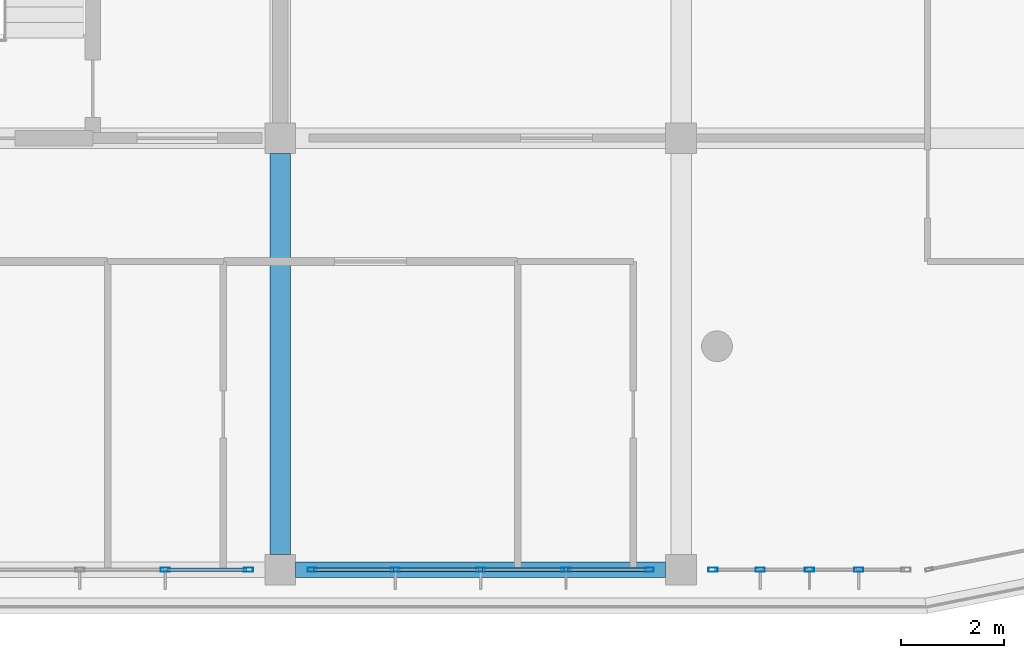
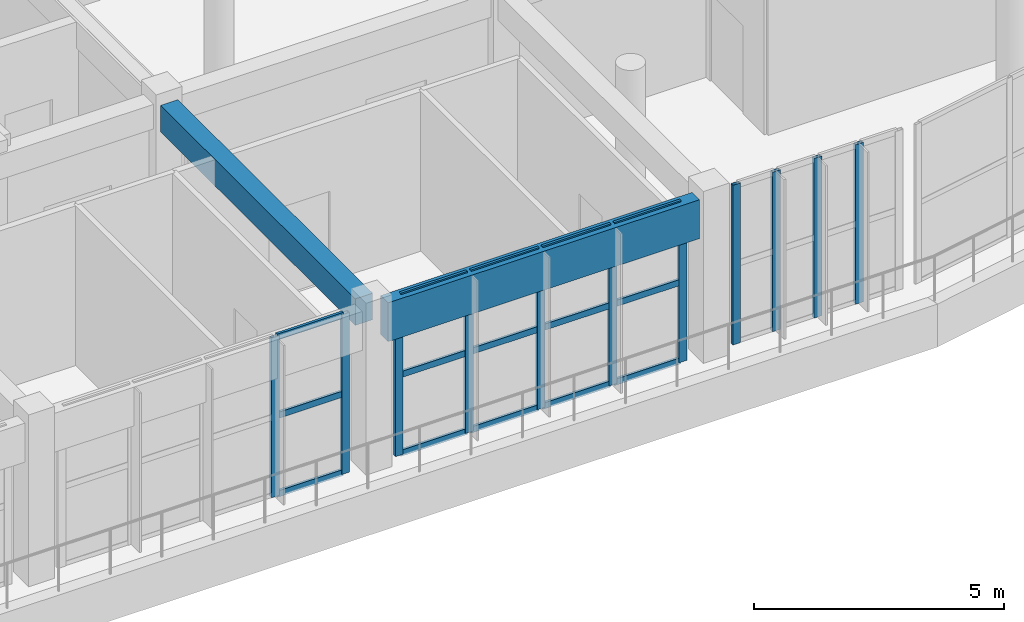
# One storey, part 23 of 56: 26 members, 2 beams, 3 elements without a shape of their own.
"""IFC4 building model written with IfcOpenShell, lengths in metres."""

from ifc_helpers import new_model, si_unit, direction, frame, origin, origin_2d, place, context, subcontext, project, spatial, rectangle, hollow_rectangle, extrude, material, layer, layer_set, material_profile, profile_set, type_object, element, aggregate, save


model = new_model("IFC4")

# Units and contexts
model_context = context("Model", 3, precision=1e-05, world=origin(), true_north=direction((0.0, 1.0)))
body_context = subcontext(model_context, "Body", "Model", "MODEL_VIEW")
ifc_project = project(units=[si_unit("LENGTHUNIT", "METRE"), si_unit("AREAUNIT", "SQUARE_METRE"), si_unit("VOLUMEUNIT", "CUBIC_METRE"), si_unit("PLANEANGLEUNIT", "RADIAN"), si_unit("MASSUNIT", "GRAM", prefix="KILO")], contexts=[model_context])

# Site, building, storey
site_placement = place(None, origin())
site = spatial("IfcSite", under=ifc_project, at=site_placement, CompositionType="ELEMENT")
building_placement = place(site_placement, origin())
building = spatial("IfcBuilding", under=site, at=building_placement, Name="Zizhar Promenade General Hospital", CompositionType="ELEMENT")
storey_placement = place(building_placement, frame((0.0, 0.0, 26.39990234375)))
storey = spatial("IfcBuildingStorey", under=building, at=storey_placement, Name="L06", CompositionType="ELEMENT", Elevation=26.39990234375)

# Beams
ifc_material_1 = material(Name="Precast concrete C40/50", Category="concrete")
ifc_material_profile_1 = material_profile(ifc_material_1, rectangle(XDim=0.300048828125, YDim=0.949951171875, at=origin_2d()))
ifc_profile_set_1 = profile_set([ifc_material_profile_1], Name="Precast concrete C40/50")
beam_type_1 = type_object("IfcBeamType", Name="BM-PC-BAND950", PredefinedType="SPANDREL", material=ifc_profile_set_1)
beam_1_placement = place(storey_placement, frame((101.699951171875, 0.0, 3.43505859375), z_axis=(1.0, 0.0, 0.0), x_axis=(0.0, 1.0, 0.0)))
element("IfcBeam", 1, at=beam_1_placement, inside=storey, type_object=beam_type_1, Name="Grid Beam X L06 (13-0)", PredefinedType="SPANDREL", context=body_context, shape_type="SweptSolid", body=[
    extrude(rectangle(XDim=0.300048828125, YDim=0.949951171875, at=origin_2d()), origin(), (0.0, 0.0, 1.0), 7.199951171875),
])
ifc_material_2 = material(Name="Concrete C35/45", Category="concrete")
ifc_material_profile_2 = material_profile(ifc_material_2, rectangle(XDim=0.39990234375, YDim=0.64990234375, at=origin_2d()))
ifc_profile_set_2 = profile_set([ifc_material_profile_2], Name="Concrete C35/45")
beam_type_2 = type_object("IfcBeamType", Name="BM-RC-400x650", PredefinedType="BEAM", material=ifc_profile_set_2)
beam_2_placement = place(storey_placement, frame((101.39990234375, 0.300048828125, 3.585205078125), z_axis=(0.0, 1.0, 0.0), x_axis=(-1.0, 0.0, 0.0)))
element("IfcBeam", 2, at=beam_2_placement, inside=storey, type_object=beam_type_2, Name="Grid Beam Y L06 (13-0)", PredefinedType="BEAM", context=body_context, shape_type="SweptSolid", body=[
    extrude(rectangle(XDim=0.39990234375, YDim=0.64990234375, at=origin_2d()), origin(), (0.0, 0.0, 1.0), 7.800048828125),
])

# Curtain wall, members
ifc_material_3 = material(Name="Anodised aluminium 6063-T6 and low-E glass", Category="aluminium")
ifc_layer = layer(ifc_material_3, 0.159912109375)
ifc_layer_set = layer_set([ifc_layer], Name="Anodised aluminium 6063-T6 and low-E glass")
curtain_wall_type = type_object("IfcCurtainWallType", Name="CW-WARD-RIB", PredefinedType="NOTDEFINED", material=ifc_layer_set)
curtain_wall_1_placement = place(storey_placement, origin())
curtain_wall_1 = element("IfcCurtainWall", 3, at=curtain_wall_1_placement, inside=storey, type_object=curtain_wall_type, Name="Ward Ribbon Curtain Wall L06-17-0", PredefinedType="NOTDEFINED")
ifc_material_4 = material(Name="Anodised aluminium 6063-T6", Category="aluminium")
ifc_material_profile_3 = material_profile(ifc_material_4, hollow_rectangle(XDim=0.080078125, YDim=0.179931640625, WallThickness=0.0048828125, at=origin_2d()))
ifc_profile_set_3 = profile_set([ifc_material_profile_3], Name="Anodised aluminium 6063-T6")
member_type_1 = type_object("IfcMemberType", Name="CWM-ALU-180x80", PredefinedType="MULLION", material=ifc_profile_set_3)
member_1_placement = place(storey_placement, frame((112.659912109375, 0.0, 0.0), z_axis=(0.0, 0.0, 1.0), x_axis=(0.0, -1.0, 0.0)))
member_1 = element("IfcMember", 4, at=member_1_placement, type_object=member_type_1, Name="CW-13 mullion 2", PredefinedType="MULLION", context=body_context, shape_type="SweptSolid", body=[
    extrude(hollow_rectangle(XDim=0.080078125, YDim=0.179931640625, WallThickness=0.0048828125, at=origin_2d()), origin(), (0.0, 0.0, 1.0), 3.900146484375),
])
member_2_placement = place(storey_placement, frame((111.699951171875, 0.0, 0.0), z_axis=(0.0, 0.0, 1.0), x_axis=(0.0, -1.0, 0.0)))
member_2 = element("IfcMember", 5, at=member_2_placement, type_object=member_type_1, Name="CW-13 mullion 3", PredefinedType="MULLION", context=body_context, shape_type="SweptSolid", body=[
    extrude(hollow_rectangle(XDim=0.080078125, YDim=0.179931640625, WallThickness=0.0048828125, at=origin_2d()), origin(), (0.0, 0.0, 1.0), 3.900146484375),
])
member_3_placement = place(storey_placement, frame((110.739990234375, 0.0, 0.0), z_axis=(0.0, 0.0, 1.0), x_axis=(0.0, -1.0, 0.0)))
member_3 = element("IfcMember", 6, at=member_3_placement, type_object=member_type_1, Name="CW-13 mullion 4", PredefinedType="MULLION", context=body_context, shape_type="SweptSolid", body=[
    extrude(hollow_rectangle(XDim=0.080078125, YDim=0.179931640625, WallThickness=0.0048828125, at=origin_2d()), origin(), (0.0, 0.0, 1.0), 3.900146484375),
])
member_4_placement = place(storey_placement, frame((109.820068359375, 0.0, 0.0), z_axis=(0.0, 0.0, 1.0), x_axis=(0.0, -1.0, 0.0)))
member_4 = element("IfcMember", 7, at=member_4_placement, type_object=member_type_1, Name="CW-13 mullion 5", PredefinedType="MULLION", context=body_context, shape_type="SweptSolid", body=[
    extrude(hollow_rectangle(XDim=0.080078125, YDim=0.179931640625, WallThickness=0.0048828125, at=origin_2d()), origin(), (0.0, 0.0, 1.0), 3.900146484375),
])
aggregate(curtain_wall_1, [member_1, member_2, member_3, member_4])

curtain_wall_2_placement = place(storey_placement, origin())
curtain_wall_2 = element("IfcCurtainWall", 8, at=curtain_wall_2_placement, inside=storey, type_object=curtain_wall_type, Name="Ward Ribbon Curtain Wall L06-17-1", PredefinedType="NOTDEFINED")
member_5_placement = place(storey_placement, frame((108.580078125, 0.0, 0.0), z_axis=(0.0, 0.0, 1.0), x_axis=(0.0, -1.0, 0.0)))
member_5 = element("IfcMember", 9, at=member_5_placement, type_object=member_type_1, Name="CW-13 mullion 1", PredefinedType="MULLION", context=body_context, shape_type="SweptSolid", body=[
    extrude(hollow_rectangle(XDim=0.080078125, YDim=0.179931640625, WallThickness=0.0048828125, at=origin_2d()), origin(), (0.0, 0.0, 1.0), 3.900146484375),
])
member_6_placement = place(storey_placement, frame((106.9599609375, 0.0, 0.0), z_axis=(0.0, 0.0, 1.0), x_axis=(0.0, -1.0, 0.0)))
member_6 = element("IfcMember", 10, at=member_6_placement, type_object=member_type_1, Name="CW-13 mullion 2", PredefinedType="MULLION", context=body_context, shape_type="SweptSolid", body=[
    extrude(hollow_rectangle(XDim=0.080078125, YDim=0.179931640625, WallThickness=0.0048828125, at=origin_2d()), origin(), (0.0, 0.0, 1.0), 3.900146484375),
])
member_7_placement = place(storey_placement, frame((105.300048828125, 0.0, 0.0), z_axis=(0.0, 0.0, 1.0), x_axis=(0.0, -1.0, 0.0)))
member_7 = element("IfcMember", 11, at=member_7_placement, type_object=member_type_1, Name="CW-13 mullion 3", PredefinedType="MULLION", context=body_context, shape_type="SweptSolid", body=[
    extrude(hollow_rectangle(XDim=0.080078125, YDim=0.179931640625, WallThickness=0.0048828125, at=origin_2d()), origin(), (0.0, 0.0, 1.0), 3.900146484375),
])
member_8_placement = place(storey_placement, frame((103.639892578125, 0.0, 0.0), z_axis=(0.0, 0.0, 1.0), x_axis=(0.0, -1.0, 0.0)))
member_8 = element("IfcMember", 12, at=member_8_placement, type_object=member_type_1, Name="CW-13 mullion 4", PredefinedType="MULLION", context=body_context, shape_type="SweptSolid", body=[
    extrude(hollow_rectangle(XDim=0.080078125, YDim=0.179931640625, WallThickness=0.0048828125, at=origin_2d()), origin(), (0.0, 0.0, 1.0), 3.900146484375),
])
member_9_placement = place(storey_placement, frame((102.02001953125, 0.0, 0.0), z_axis=(0.0, 0.0, 1.0), x_axis=(0.0, -1.0, 0.0)))
member_9 = element("IfcMember", 13, at=member_9_placement, type_object=member_type_1, Name="CW-13 mullion 5", PredefinedType="MULLION", context=body_context, shape_type="SweptSolid", body=[
    extrude(hollow_rectangle(XDim=0.080078125, YDim=0.179931640625, WallThickness=0.0048828125, at=origin_2d()), origin(), (0.0, 0.0, 1.0), 3.900146484375),
])

curtain_wall_3_placement = place(storey_placement, origin())
curtain_wall_3 = element("IfcCurtainWall", 14, at=curtain_wall_3_placement, inside=storey, type_object=curtain_wall_type, Name="Ward Ribbon Curtain Wall L06-17-2", PredefinedType="NOTDEFINED")
member_10_placement = place(storey_placement, frame((100.780029296875, 0.0, 0.0), z_axis=(0.0, 0.0, 1.0), x_axis=(0.0, -1.0, 0.0)))
member_10 = element("IfcMember", 15, at=member_10_placement, type_object=member_type_1, Name="CW-13 mullion 1", PredefinedType="MULLION", context=body_context, shape_type="SweptSolid", body=[
    extrude(hollow_rectangle(XDim=0.080078125, YDim=0.179931640625, WallThickness=0.0048828125, at=origin_2d()), origin(), (0.0, 0.0, 1.0), 3.900146484375),
])
member_11_placement = place(storey_placement, frame((99.159912109375, 0.0, 0.0), z_axis=(0.0, 0.0, 1.0), x_axis=(0.0, -1.0, 0.0)))
member_11 = element("IfcMember", 16, at=member_11_placement, type_object=member_type_1, Name="CW-13 mullion 2", PredefinedType="MULLION", context=body_context, shape_type="SweptSolid", body=[
    extrude(hollow_rectangle(XDim=0.080078125, YDim=0.179931640625, WallThickness=0.0048828125, at=origin_2d()), origin(), (0.0, 0.0, 1.0), 3.900146484375),
])

# Member
ifc_material_5 = material(Name="Anodised aluminium 6063-T6", Category="aluminium")
ifc_material_profile_4 = material_profile(ifc_material_5, hollow_rectangle(XDim=0.06005859375, YDim=0.14990234375, WallThickness=0.00390625, at=origin_2d()))
ifc_profile_set_4 = profile_set([ifc_material_profile_4], Name="Anodised aluminium 6063-T6")
member_type_2 = type_object("IfcMemberType", Name="CWT-ALU-150x60", PredefinedType="USERDEFINED", material=ifc_profile_set_4)
member_12_placement = place(storey_placement, frame((108.5400390625, 0.0, 0.030029296875), z_axis=(-1.0, 0.0, 0.0), x_axis=(0.0, -1.0, 0.0)))
member_12 = element("IfcMember", 17, at=member_12_placement, type_object=member_type_2, Name="CW-13 transom 1.1", ObjectType="TRANSOM", PredefinedType="USERDEFINED", context=body_context, shape_type="SweptSolid", body=[
    extrude(hollow_rectangle(XDim=0.06005859375, YDim=0.14990234375, WallThickness=0.00390625, at=origin_2d()), origin(), (0.0, 0.0, 1.0), 1.5400390625),
])

member_13_placement = place(storey_placement, frame((108.5400390625, 0.0, 1.9501953125), z_axis=(-1.0, 0.0, 0.0), x_axis=(0.0, -1.0, 0.0)))
member_13 = element("IfcMember", 18, at=member_13_placement, type_object=member_type_2, Name="CW-13 transom 1.2", ObjectType="TRANSOM", PredefinedType="USERDEFINED", context=body_context, shape_type="SweptSolid", body=[
    extrude(hollow_rectangle(XDim=0.06005859375, YDim=0.14990234375, WallThickness=0.00390625, at=origin_2d()), origin(), (0.0, 0.0, 1.0), 1.5400390625),
])

member_14_placement = place(storey_placement, frame((108.5400390625, 0.0, 3.8701171875), z_axis=(-1.0, 0.0, 0.0), x_axis=(0.0, -1.0, 0.0)))
member_14 = element("IfcMember", 19, at=member_14_placement, type_object=member_type_2, Name="CW-13 transom 1.3", ObjectType="TRANSOM", PredefinedType="USERDEFINED", context=body_context, shape_type="SweptSolid", body=[
    extrude(hollow_rectangle(XDim=0.06005859375, YDim=0.14990234375, WallThickness=0.00390625, at=origin_2d()), origin(), (0.0, 0.0, 1.0), 1.5400390625),
])

member_15_placement = place(storey_placement, frame((106.919921875, 0.0, 0.030029296875), z_axis=(-1.0, 0.0, 0.0), x_axis=(0.0, -1.0, 0.0)))
member_15 = element("IfcMember", 20, at=member_15_placement, type_object=member_type_2, Name="CW-13 transom 2.1", ObjectType="TRANSOM", PredefinedType="USERDEFINED", context=body_context, shape_type="SweptSolid", body=[
    extrude(hollow_rectangle(XDim=0.06005859375, YDim=0.14990234375, WallThickness=0.00390625, at=origin_2d()), origin(), (0.0, 0.0, 1.0), 1.579833984375),
])

member_16_placement = place(storey_placement, frame((106.919921875, 0.0, 1.9501953125), z_axis=(-1.0, 0.0, 0.0), x_axis=(0.0, -1.0, 0.0)))
member_16 = element("IfcMember", 21, at=member_16_placement, type_object=member_type_2, Name="CW-13 transom 2.2", ObjectType="TRANSOM", PredefinedType="USERDEFINED", context=body_context, shape_type="SweptSolid", body=[
    extrude(hollow_rectangle(XDim=0.06005859375, YDim=0.14990234375, WallThickness=0.00390625, at=origin_2d()), origin(), (0.0, 0.0, 1.0), 1.579833984375),
])

member_17_placement = place(storey_placement, frame((106.919921875, 0.0, 3.8701171875), z_axis=(-1.0, 0.0, 0.0), x_axis=(0.0, -1.0, 0.0)))
member_17 = element("IfcMember", 22, at=member_17_placement, type_object=member_type_2, Name="CW-13 transom 2.3", ObjectType="TRANSOM", PredefinedType="USERDEFINED", context=body_context, shape_type="SweptSolid", body=[
    extrude(hollow_rectangle(XDim=0.06005859375, YDim=0.14990234375, WallThickness=0.00390625, at=origin_2d()), origin(), (0.0, 0.0, 1.0), 1.579833984375),
])

member_18_placement = place(storey_placement, frame((105.260009765625, 0.0, 0.030029296875), z_axis=(-1.0, 0.0, 0.0), x_axis=(0.0, -1.0, 0.0)))
member_18 = element("IfcMember", 23, at=member_18_placement, type_object=member_type_2, Name="CW-13 transom 3.1", ObjectType="TRANSOM", PredefinedType="USERDEFINED", context=body_context, shape_type="SweptSolid", body=[
    extrude(hollow_rectangle(XDim=0.06005859375, YDim=0.14990234375, WallThickness=0.00390625, at=origin_2d()), origin(), (0.0, 0.0, 1.0), 1.580078125),
])

member_19_placement = place(storey_placement, frame((105.260009765625, 0.0, 1.9501953125), z_axis=(-1.0, 0.0, 0.0), x_axis=(0.0, -1.0, 0.0)))
member_19 = element("IfcMember", 24, at=member_19_placement, type_object=member_type_2, Name="CW-13 transom 3.2", ObjectType="TRANSOM", PredefinedType="USERDEFINED", context=body_context, shape_type="SweptSolid", body=[
    extrude(hollow_rectangle(XDim=0.06005859375, YDim=0.14990234375, WallThickness=0.00390625, at=origin_2d()), origin(), (0.0, 0.0, 1.0), 1.580078125),
])

member_20_placement = place(storey_placement, frame((105.260009765625, 0.0, 3.8701171875), z_axis=(-1.0, 0.0, 0.0), x_axis=(0.0, -1.0, 0.0)))
member_20 = element("IfcMember", 25, at=member_20_placement, type_object=member_type_2, Name="CW-13 transom 3.3", ObjectType="TRANSOM", PredefinedType="USERDEFINED", context=body_context, shape_type="SweptSolid", body=[
    extrude(hollow_rectangle(XDim=0.06005859375, YDim=0.14990234375, WallThickness=0.00390625, at=origin_2d()), origin(), (0.0, 0.0, 1.0), 1.580078125),
])

member_21_placement = place(storey_placement, frame((103.60009765625, 0.0, 0.030029296875), z_axis=(-1.0, 0.0, 0.0), x_axis=(0.0, -1.0, 0.0)))
member_21 = element("IfcMember", 26, at=member_21_placement, type_object=member_type_2, Name="CW-13 transom 4.1", ObjectType="TRANSOM", PredefinedType="USERDEFINED", context=body_context, shape_type="SweptSolid", body=[
    extrude(hollow_rectangle(XDim=0.06005859375, YDim=0.14990234375, WallThickness=0.00390625, at=origin_2d()), origin(), (0.0, 0.0, 1.0), 1.5400390625),
])

member_22_placement = place(storey_placement, frame((103.60009765625, 0.0, 1.9501953125), z_axis=(-1.0, 0.0, 0.0), x_axis=(0.0, -1.0, 0.0)))
member_22 = element("IfcMember", 27, at=member_22_placement, type_object=member_type_2, Name="CW-13 transom 4.2", ObjectType="TRANSOM", PredefinedType="USERDEFINED", context=body_context, shape_type="SweptSolid", body=[
    extrude(hollow_rectangle(XDim=0.06005859375, YDim=0.14990234375, WallThickness=0.00390625, at=origin_2d()), origin(), (0.0, 0.0, 1.0), 1.5400390625),
])

member_23_placement = place(storey_placement, frame((103.60009765625, 0.0, 3.8701171875), z_axis=(-1.0, 0.0, 0.0), x_axis=(0.0, -1.0, 0.0)))
member_23 = element("IfcMember", 28, at=member_23_placement, type_object=member_type_2, Name="CW-13 transom 4.3", ObjectType="TRANSOM", PredefinedType="USERDEFINED", context=body_context, shape_type="SweptSolid", body=[
    extrude(hollow_rectangle(XDim=0.06005859375, YDim=0.14990234375, WallThickness=0.00390625, at=origin_2d()), origin(), (0.0, 0.0, 1.0), 1.5400390625),
])

aggregate(curtain_wall_2, [member_5, member_6, member_7, member_8, member_9, member_12, member_13, member_14, member_15, member_16, member_17, member_18, member_19, member_20, member_21, member_22, member_23])

member_24_placement = place(storey_placement, frame((100.739990234375, 0.0, 0.030029296875), z_axis=(-1.0, 0.0, 0.0), x_axis=(0.0, -1.0, 0.0)))
member_24 = element("IfcMember", 29, at=member_24_placement, type_object=member_type_2, Name="CW-13 transom 1.1", ObjectType="TRANSOM", PredefinedType="USERDEFINED", context=body_context, shape_type="SweptSolid", body=[
    extrude(hollow_rectangle(XDim=0.06005859375, YDim=0.14990234375, WallThickness=0.00390625, at=origin_2d()), origin(), (0.0, 0.0, 1.0), 1.5400390625),
])

member_25_placement = place(storey_placement, frame((100.739990234375, 0.0, 1.9501953125), z_axis=(-1.0, 0.0, 0.0), x_axis=(0.0, -1.0, 0.0)))
member_25 = element("IfcMember", 30, at=member_25_placement, type_object=member_type_2, Name="CW-13 transom 1.2", ObjectType="TRANSOM", PredefinedType="USERDEFINED", context=body_context, shape_type="SweptSolid", body=[
    extrude(hollow_rectangle(XDim=0.06005859375, YDim=0.14990234375, WallThickness=0.00390625, at=origin_2d()), origin(), (0.0, 0.0, 1.0), 1.5400390625),
])

member_26_placement = place(storey_placement, frame((100.739990234375, 0.0, 3.8701171875), z_axis=(-1.0, 0.0, 0.0), x_axis=(0.0, -1.0, 0.0)))
member_26 = element("IfcMember", 31, at=member_26_placement, type_object=member_type_2, Name="CW-13 transom 1.3", ObjectType="TRANSOM", PredefinedType="USERDEFINED", context=body_context, shape_type="SweptSolid", body=[
    extrude(hollow_rectangle(XDim=0.06005859375, YDim=0.14990234375, WallThickness=0.00390625, at=origin_2d()), origin(), (0.0, 0.0, 1.0), 1.5400390625),
])

aggregate(curtain_wall_3, [member_10, member_11, member_24, member_25, member_26])

save(model, "model.ifc")
